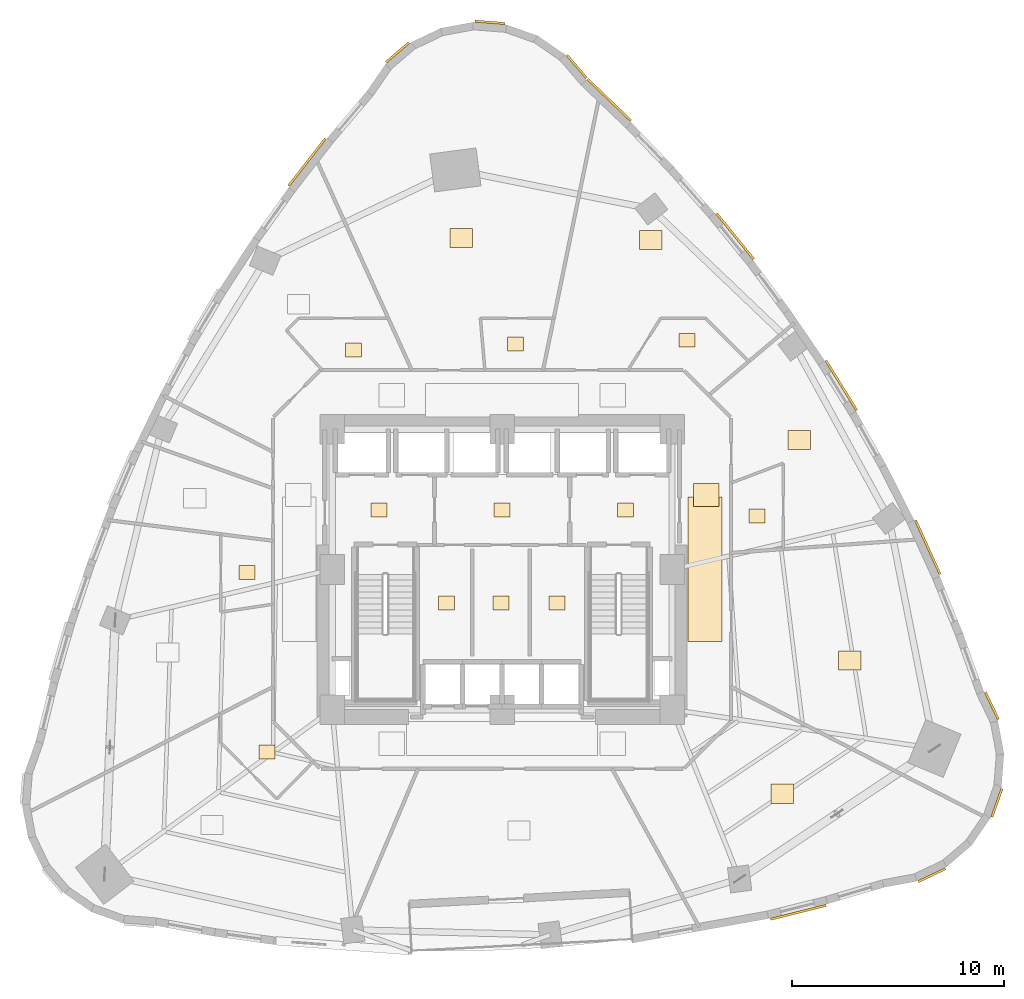
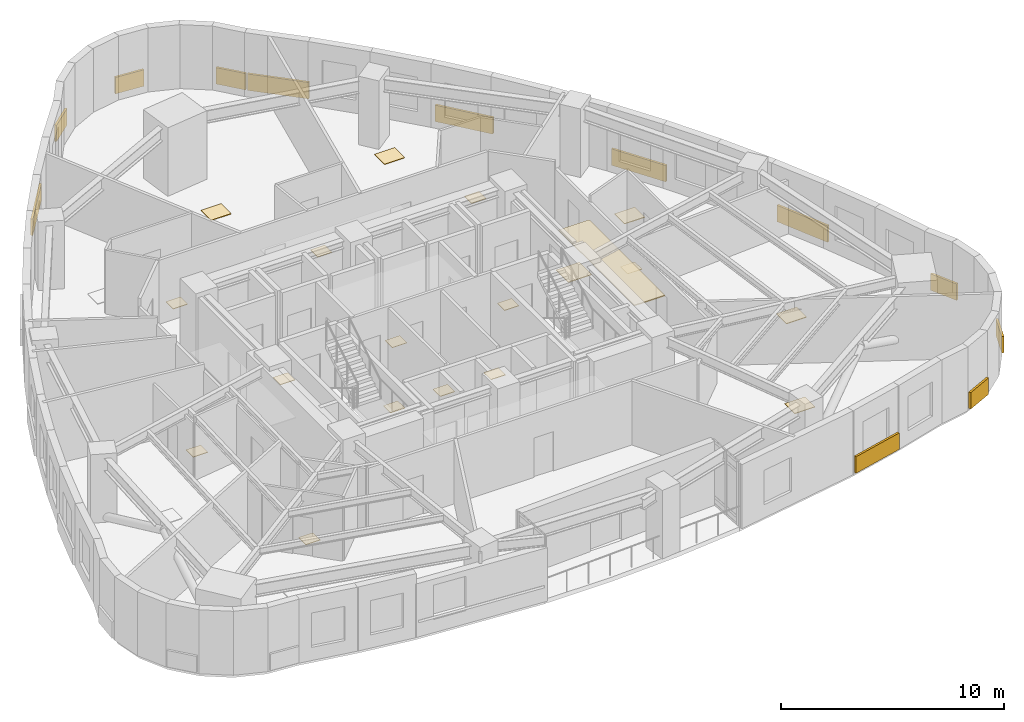
# One storey, part 11 of 11: 31 coverings.
"""IFC4 building model written with IfcOpenShell, lengths in metres."""

from ifc_helpers import new_model, si_unit, direction, frame, origin, origin_2d, place, context, subcontext, project, spatial, rectangle, extrude, material, layer, layer_set, type_object, element, save


model = new_model("IFC4")

# Units and contexts
model_context = context("Model", 3, precision=1e-05, world=origin(), true_north=direction((0.0, 1.0)))
body_context = subcontext(model_context, "Body", "Model", "MODEL_VIEW")
ifc_project = project(units=[si_unit("LENGTHUNIT", "METRE"), si_unit("AREAUNIT", "SQUARE_METRE"), si_unit("VOLUMEUNIT", "CUBIC_METRE"), si_unit("PLANEANGLEUNIT", "RADIAN"), si_unit("MASSUNIT", "GRAM", prefix="KILO")], contexts=[model_context])

# Site, building, storey
site_placement = place(None, origin())
site = spatial("IfcSite", under=ifc_project, at=site_placement, CompositionType="ELEMENT")
building_placement = place(site_placement, origin())
building = spatial("IfcBuilding", under=site, at=building_placement, Name="Ndelora Gate Hotel", CompositionType="ELEMENT")
storey_placement = place(building_placement, frame((0.0, 0.0, 41.75)))
storey = spatial("IfcBuildingStorey", under=building, at=storey_placement, Name="L09", CompositionType="ELEMENT", Elevation=41.75)

# Coverings
ifc_material_1 = material(Name="Perforated Acoustic Gypsum Board", Category="gypsum")
ifc_layer_1 = layer(ifc_material_1, 0.054931640625)
ifc_layer_set_1 = layer_set([ifc_layer_1], Name="Perforated Acoustic Gypsum Board")
covering_type_1 = type_object("IfcCoveringType", Name="COV-CEIL-AC60", PredefinedType="CEILING", material=ifc_layer_set_1)
covering_1_placement = place(storey_placement, frame((9.550048828125, 0.0, 2.65234375), z_axis=(0.0, 0.0, 1.0), x_axis=(1.0, 0.0, 0.0)))
element("IfcCovering", 1, at=covering_1_placement, inside=storey, type_object=covering_type_1, Name="L09 Guest Corridor Acoustic Ceiling E", PredefinedType="CEILING", context=body_context, shape_type="SweptSolid", body=[
    extrude(rectangle(XDim=1.580078125, YDim=6.800048828125, at=origin_2d()), origin(), (0.0, 0.0, 1.0), 0.054931640625),
])
ifc_material_2 = material(Name="Terracotta Fired Clay Brick Slip Cladding", Category="masonry")
ifc_layer_2 = layer(ifc_material_2, 0.110107421875)
ifc_layer_set_2 = layer_set([ifc_layer_2], Name="Terracotta Fired Clay Brick Slip Cladding")
covering_type_2 = type_object("IfcCoveringType", Name="COV-CLAD-BRK", PredefinedType="CLADDING", material=ifc_layer_set_2)
for number, where, z_axis, x_axis, name in (
    (2, (3.513427734375, 23.6669921875, 0.10009765625), (0.0, 0.0, 1.0), (-0.64944804833, 0.7604059656, 0.0), "L09 Rounded-Corner Brick Cladding Band 1"),
    (3, (-0.567138671875, 25.74609375, 0.10009765625), (0.0, 0.0, 1.0), (-0.996917333733, 0.078459095728, 0.0), "L09 Rounded-Corner Brick Cladding Band 4"),
    (4, (-4.9228515625, 24.330810546875, 0.10009765625), (0.0, 0.0, 1.0), (0.7604059656, 0.64944804833, 0.0), "L09 Rounded-Corner Brick Cladding Band 7"),
):
    element("IfcCovering", number, at=place(storey_placement, frame(where, z_axis=z_axis, x_axis=x_axis)), inside=storey, type_object=covering_type_2, Name=name, PredefinedType="CLADDING", context=body_context, shape_type="SweptSolid", body=[
        extrude(rectangle(XDim=1.4140625, YDim=0.110107421875, at=origin_2d()), origin(), (0.0, 0.0, 1.0), 0.89990234375),
    ])
covering_2_placement = place(storey_placement, frame((-9.1796875, 19.166259765625, 0.10009765625), z_axis=(0.0, 0.0, 1.0), x_axis=(0.61414746959, 0.789191285809, 0.0)))
element("IfcCovering", 5, at=covering_2_placement, inside=storey, type_object=covering_type_2, Name="L09 Rounded-Corner Brick Cladding Band 10", PredefinedType="CLADDING", context=body_context, shape_type="SweptSolid", body=[
    extrude(rectangle(XDim=2.81103515625, YDim=0.110107421875, at=origin_2d()), origin(), (0.0, 0.0, 1.0), 0.89990234375),
])
covering_3_placement = place(storey_placement, frame((13.94580078125, -16.140380859375, 0.10009765625), z_axis=(0.0, 0.0, 1.0), x_axis=(0.970168923267, 0.242429908069, 0.0)))
element("IfcCovering", 6, at=covering_3_placement, inside=storey, type_object=covering_type_2, Name="L09 Rounded-Corner Brick Cladding Band 37", PredefinedType="CLADDING", context=body_context, shape_type="SweptSolid", body=[
    extrude(rectangle(XDim=2.696044921875, YDim=0.110107421875, at=origin_2d()), origin(), (0.0, 0.0, 1.0), 0.89990234375),
])
for number, where, z_axis, x_axis, name in (
    (7, (20.22509765625, -14.3935546875, 0.10009765625), (0.0, 0.0, 1.0), (0.90258528435, 0.430511096808, 0.0), "L09 Rounded-Corner Brick Cladding Band 40"),
    (8, (23.28955078125, -10.989990234375, 0.10009765625), (0.0, 0.0, 1.0), (0.333806859234, 0.942641491092, 0.0), "L09 Rounded-Corner Brick Cladding Band 43"),
    (9, (23.0498046875, -6.41650390625, 0.10009765625), (0.0, 0.0, 1.0), (-0.430511096808, 0.90258528435, 0.0), "L09 Rounded-Corner Brick Cladding Band 46"),
):
    element("IfcCovering", number, at=place(storey_placement, frame(where, z_axis=z_axis, x_axis=x_axis)), inside=storey, type_object=covering_type_2, Name=name, PredefinedType="CLADDING", context=body_context, shape_type="SweptSolid", body=[
        extrude(rectangle(XDim=1.4140625, YDim=0.110107421875, at=origin_2d()), origin(), (0.0, 0.0, 1.0), 0.89990234375),
    ])
covering_4_placement = place(storey_placement, frame((20.037353515625, 1.039794921875, 0.10009765625), z_axis=(0.0, 0.0, 1.0), x_axis=(-0.414534418138, 0.910033634641, 0.0)))
element("IfcCovering", 10, at=covering_4_placement, inside=storey, type_object=covering_type_2, Name="L09 Rounded-Corner Brick Cladding Band 49", PredefinedType="CLADDING", context=body_context, shape_type="SweptSolid", body=[
    extrude(rectangle(XDim=2.791015625, YDim=0.110107421875, at=origin_2d()), origin(), (0.0, 0.0, 1.0), 0.89990234375),
])
covering_5_placement = place(storey_placement, frame((15.966796875, 8.65869140625, 0.10009765625), z_axis=(0.0, 0.0, 1.0), x_axis=(-0.526659094883, 0.850076583478, 0.0)))
element("IfcCovering", 11, at=covering_5_placement, inside=storey, type_object=covering_type_2, Name="L09 Rounded-Corner Brick Cladding Band 52", PredefinedType="CLADDING", context=body_context, shape_type="SweptSolid", body=[
    extrude(rectangle(XDim=2.760009765625, YDim=0.110107421875, at=origin_2d()), origin(), (0.0, 0.0, 1.0), 0.89990234375),
])
covering_6_placement = place(storey_placement, frame((10.970703125, 15.676513671875, 0.10009765625), z_axis=(0.0, 0.0, 1.0), x_axis=(-0.630675807431, 0.776046407067, 0.0)))
element("IfcCovering", 12, at=covering_6_placement, inside=storey, type_object=covering_type_2, Name="L09 Rounded-Corner Brick Cladding Band 55", PredefinedType="CLADDING", context=body_context, shape_type="SweptSolid", body=[
    extrude(rectangle(XDim=2.77490234375, YDim=0.110107421875, at=origin_2d()), origin(), (0.0, 0.0, 1.0), 0.89990234375),
])
covering_7_placement = place(storey_placement, frame((5.049560546875, 22.09228515625, 0.10009765625), z_axis=(0.0, 0.0, 1.0), x_axis=(-0.722122534463, 0.691765166238, 0.0)))
element("IfcCovering", 13, at=covering_7_placement, inside=storey, type_object=covering_type_2, Name="L09 Rounded-Corner Brick Cladding Band 58", PredefinedType="CLADDING", context=body_context, shape_type="SweptSolid", body=[
    extrude(rectangle(XDim=2.8369140625, YDim=0.110107421875, at=origin_2d()), origin(), (0.0, 0.0, 1.0), 0.89990234375),
])
ifc_material_3 = material(Name="Engineered Highland Oak Parquet", Category="wood")
ifc_layer_3 = layer(ifc_material_3, 0.030029296875)
ifc_layer_set_3 = layer_set([ifc_layer_3], Name="Engineered Highland Oak Parquet")
covering_type_3 = type_object("IfcCoveringType", Name="COV-FLR-PARQ", PredefinedType="FLOORING", material=ifc_layer_set_3)
for number, where, z_axis, x_axis, name in (
    (14, (13.18310546875, -10.55908203125, 0.0), (0.0, 0.0, 1.0), (1.0, 0.0, 0.0), "L09 Business Study Office Oak Parquet Flooring"),
    (15, (16.368896484375, -4.294677734375, 0.0), (0.0, 0.0, 1.0), (1.0, 0.0, 0.0), "L09 Reading Library Room Oak Parquet Flooring"),
    (16, (13.992431640625, 6.093017578125, 0.0), (0.0, 0.0, 1.0), (1.0, 0.0, 0.0), "L09 Twin Guest Room 1203 Oak Parquet Flooring"),
    (17, (6.994384765625, 15.50390625, 0.0), (0.0, 0.0, 1.0), (1.0, 0.0, 0.0), "L09 Corner Junior Suite 1204 Oak Parquet Flooring"),
    (18, (-1.927490234375, 15.596923828125, 0.0), (0.0, 0.0, 1.0), (1.0, 0.0, 0.0), "L09 Deluxe King Junior Suite 1205 Oak Parquet Flooring"),
):
    element("IfcCovering", number, at=place(storey_placement, frame(where, z_axis=z_axis, x_axis=x_axis)), inside=storey, type_object=covering_type_3, Name=name, PredefinedType="FLOORING", context=body_context, shape_type="SweptSolid", body=[
        extrude(rectangle(XDim=1.050048828125, YDim=0.89990234375, at=origin_2d()), origin(), (0.0, 0.0, 1.0), 0.030029296875),
    ])
ifc_material_4 = material(Name="Polished Highland Stone Terrazzo", Category="masonry")
ifc_layer_4 = layer(ifc_material_4, 0.034912109375)
ifc_layer_set_4 = layer_set([ifc_layer_4], Name="Polished Highland Stone Terrazzo")
covering_type_4 = type_object("IfcCoveringType", Name="COV-FLR-TERZ", PredefinedType="FLOORING", material=ifc_layer_set_4)
covering_8_placement = place(storey_placement, frame((9.60009765625, 3.5, 0.0), z_axis=(0.0, 0.0, 1.0), x_axis=(1.0, 0.0, 0.0)))
element("IfcCovering", 19, at=covering_8_placement, inside=storey, type_object=covering_type_4, Name="L09 Corridor Threshold Terrazzo Inlay E", PredefinedType="FLOORING", context=body_context, shape_type="SweptSolid", body=[
    extrude(rectangle(XDim=1.199951171875, YDim=1.10009765625, at=origin_2d()), origin(), (0.0, 0.0, 1.0), 0.034912109375),
])
ifc_material_5 = material(Name="Non-Slip Porcelain Wet-Room Tile", Category="ceramic")
ifc_layer_5 = layer(ifc_material_5, 0.02490234375)
ifc_layer_set_5 = layer_set([ifc_layer_5], Name="Non-Slip Porcelain Wet-Room Tile")
covering_type_5 = type_object("IfcCoveringType", Name="COV-FLR-TILE", PredefinedType="FLOORING", material=ifc_layer_set_5)
for number, where, z_axis, x_axis, name in (
    (20, (-5.800048828125, 2.800048828125, 0.0), (0.0, 0.0, 1.0), (1.0, 0.0, 0.0), "L09 Firefighting Lift Lobby West Porcelain Tile Flooring"),
    (21, (5.800048828125, 2.800048828125, 0.0), (0.0, 0.0, 1.0), (1.0, 0.0, 0.0), "L09 Firefighting Lift Lobby East Porcelain Tile Flooring"),
    (22, (0.0, 2.800048828125, 0.0), (0.0, 0.0, 1.0), (1.0, 0.0, 0.0), "L09 Central Passenger Lift Lobby Porcelain Tile Flooring"),
    (23, (-2.625, -1.574951171875, 0.0), (0.0, 0.0, 1.0), (1.0, 0.0, 0.0), "L09 Core Cleaners Store Porcelain Tile Flooring"),
    (24, (-0.050048828125, -1.574951171875, 0.0), (0.0, 0.0, 1.0), (1.0, 0.0, 0.0), "L09 Core Telecoms Equipment Room Porcelain Tile Flooring"),
    (25, (2.574951171875, -1.574951171875, 0.0), (0.0, 0.0, 1.0), (1.0, 0.0, 0.0), "L09 Core Electrical Metering Room Porcelain Tile Flooring"),
    (26, (-12.0048828125, -0.14599609375, 0.0), (0.0, 0.0, 1.0), (1.0, 0.0, 0.0), "L09 En-suite Bathroom 1201 Porcelain Tile Flooring"),
    (27, (-11.063232421875, -8.59912109375, 0.0), (0.0, 0.0, 1.0), (1.0, 0.0, 0.0), "L09 En-suite Bathroom 1202 Porcelain Tile Flooring"),
    (28, (12.0048828125, 2.51708984375, 0.0), (0.0, 0.0, 1.0), (1.0, 0.0, 0.0), "L09 En-suite Bathroom 1203 Porcelain Tile Flooring"),
    (29, (8.7060546875, 10.788818359375, 0.0), (0.0, 0.0, 1.0), (1.0, 0.0, 0.0), "L09 En-suite Bathroom 1204 Porcelain Tile Flooring"),
    (30, (0.6328125, 10.60498046875, 0.0), (0.0, 0.0, 1.0), (1.0, 0.0, 0.0), "L09 En-suite Bathroom 1205 Porcelain Tile Flooring"),
    (31, (-6.99853515625, 10.33154296875, 0.0), (0.0, 0.0, 1.0), (1.0, 0.0, 0.0), "L09 En-suite Bathroom 1206 Porcelain Tile Flooring"),
):
    element("IfcCovering", number, at=place(storey_placement, frame(where, z_axis=z_axis, x_axis=x_axis)), inside=storey, type_object=covering_type_5, Name=name, PredefinedType="FLOORING", context=body_context, shape_type="SweptSolid", body=[
        extrude(rectangle(XDim=0.75, YDim=0.64990234375, at=origin_2d()), origin(), (0.0, 0.0, 1.0), 0.02490234375),
    ])

save(model, "model.ifc")
